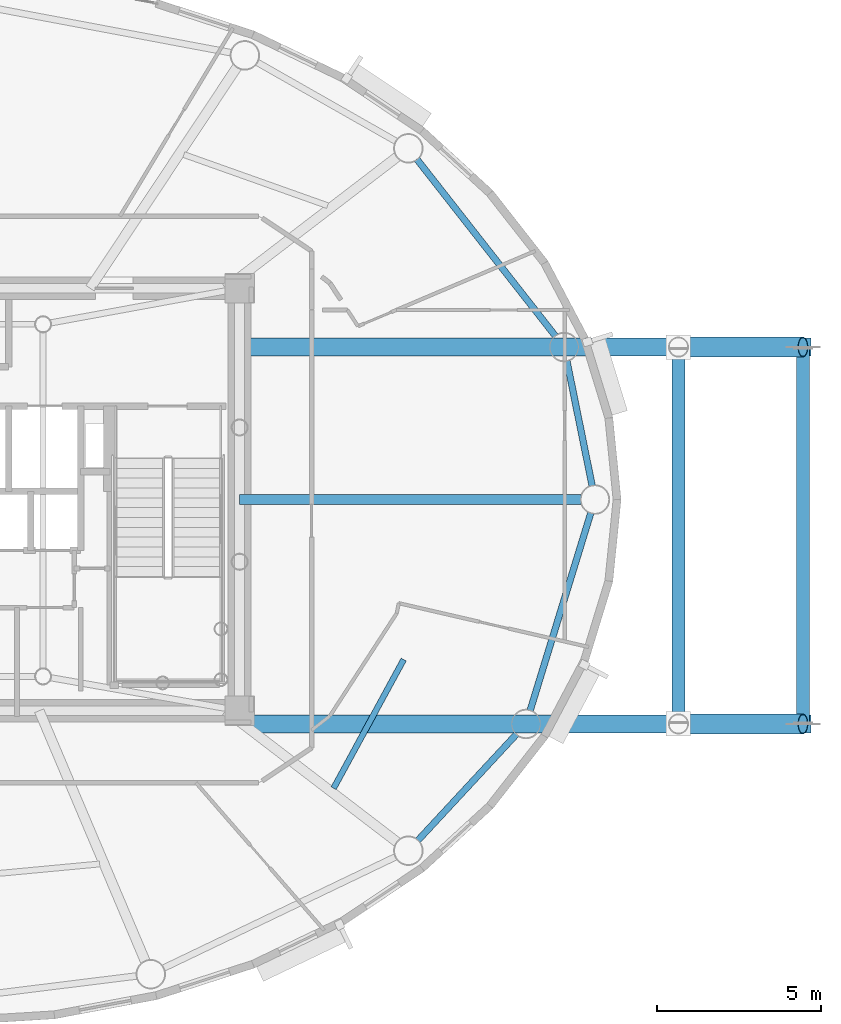
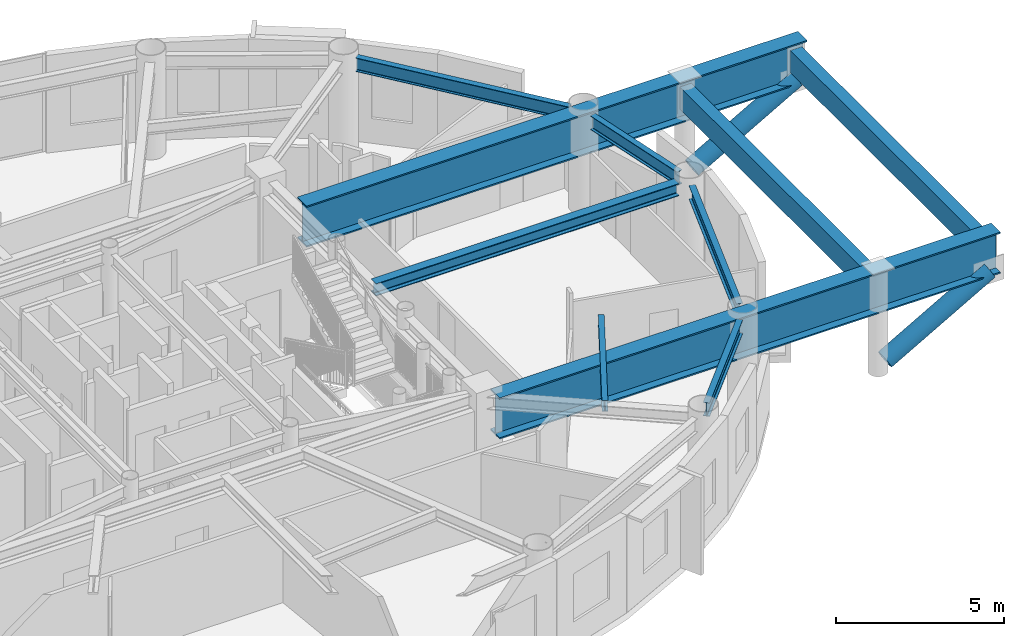
# One storey, part 4 of 19: 10 beams, 2 members.
"""IFC4 building model written with IfcOpenShell, lengths in metres."""

from ifc_helpers import new_model, si_unit, direction, frame, origin, origin_2d, place, context, subcontext, project, spatial, hollow_rectangle, hollow_circle, i_section, extrude, material, material_profile, profile_set, type_object, element, save


model = new_model("IFC4")

# Units and contexts
model_context = context("Model", 3, precision=1e-05, world=origin(), true_north=direction((0.0, 1.0)))
body_context = subcontext(model_context, "Body", "Model", "MODEL_VIEW")
ifc_project = project(units=[si_unit("LENGTHUNIT", "METRE"), si_unit("AREAUNIT", "SQUARE_METRE"), si_unit("VOLUMEUNIT", "CUBIC_METRE"), si_unit("PLANEANGLEUNIT", "RADIAN"), si_unit("MASSUNIT", "GRAM", prefix="KILO")], contexts=[model_context])

# Site, building, storey
site_placement = place(None, origin())
site = spatial("IfcSite", under=ifc_project, at=site_placement, CompositionType="ELEMENT")
building_placement = place(site_placement, origin())
building = spatial("IfcBuilding", under=site, at=building_placement, Name="Linh Dai School and Residence Tower", CompositionType="ELEMENT")
storey_placement = place(building_placement, frame((0.0, 0.0, 339.199951171875)))
storey = spatial("IfcBuildingStorey", under=building, at=storey_placement, Name="L84", CompositionType="ELEMENT", Elevation=339.199951171875)

# Beams
ifc_material = material(Name="Structural Steel S355JR", Category="steel")
ifc_material_profile_1 = material_profile(ifc_material, hollow_rectangle(XDim=0.39990234375, YDim=0.800048828125, WallThickness=0.02490234375, at=origin_2d()), Name="RHS 800x400x25")
ifc_profile_set_1 = profile_set([ifc_material_profile_1], Name="Structural Steel S355JR")
beam_type_1 = type_object("IfcBeamType", Name="BM-BX8", PredefinedType="BEAM", material=ifc_profile_set_1)
for number, where, z_axis, x_axis, name in (
    (1, (58.25, 20.1875, 2.800048828125), (0.0, 1.0, 0.0), (-1.0, 0.0, 0.0), "L84 Sky-Lounge Transverse Edge Girder S1"),
    (2, (62.050048828125, 20.1875, 2.800048828125), (0.0, 1.0, 0.0), (-1.0, 0.0, 0.0), "L84 Sky-Lounge Transverse Edge Girder MID"),
):
    element("IfcBeam", number, at=place(storey_placement, frame(where, z_axis=z_axis, x_axis=x_axis)), inside=storey, type_object=beam_type_1, Name=name, PredefinedType="BEAM", context=body_context, shape_type="SweptSolid", body=[
        extrude(hollow_rectangle(XDim=0.39990234375, YDim=0.800048828125, WallThickness=0.02490234375, at=origin_2d()), origin(), (0.0, 0.0, 1.0), 11.42724609375),
    ])
ifc_material_profile_2 = material_profile(ifc_material, i_section(OverallWidth=0.199951171875, OverallDepth=0.5, WebThickness=0.01025390625, FlangeThickness=0.01611328125, FilletRadius=0.02099609375, at=origin_2d()), Name="IPE 500")
ifc_profile_set_2 = profile_set([ifc_material_profile_2], Name="Structural Steel S355JR")
beam_type_2 = type_object("IfcBeamType", Name="BM-RB50", PredefinedType="BEAM", material=ifc_profile_set_2)
beam_1_placement = place(storey_placement, frame((55.61669921875, 27.41162109375, 3.300048828125), z_axis=(-0.198409502721, 0.980119211744, 0.0), x_axis=(-0.980119211744, -0.198409502721, 0.0)))
element("IfcBeam", 3, at=beam_1_placement, inside=storey, type_object=beam_type_2, Name="L84 Perimeter Elliptical Ring Beam 01", PredefinedType="BEAM", context=body_context, shape_type="SweptSolid", body=[
    extrude(i_section(OverallWidth=0.199951171875, OverallDepth=0.5, WebThickness=0.01025390625, FlangeThickness=0.01611328125, FilletRadius=0.02099609375, at=origin_2d()), origin(), (0.0, 0.0, 1.0), 3.9091796875),
])
beam_2_placement = place(storey_placement, frame((54.498779296875, 31.9853515625, 3.300048828125), z_axis=(-0.616844770958, 0.787084829318, 0.0), x_axis=(-0.787084829318, -0.616844770958, 0.0)))
element("IfcBeam", 4, at=beam_2_placement, inside=storey, type_object=beam_type_2, Name="L84 Perimeter Elliptical Ring Beam 02", PredefinedType="BEAM", context=body_context, shape_type="SweptSolid", body=[
    extrude(i_section(OverallWidth=0.199951171875, OverallDepth=0.5, WebThickness=0.01025390625, FlangeThickness=0.01611328125, FilletRadius=0.02099609375, at=origin_2d()), origin(), (0.0, 0.0, 1.0), 6.869384765625),
])
beam_3_placement = place(storey_placement, frame((50.2880859375, 16.5849609375, 3.300048828125), z_axis=(0.680339330162, 0.732897261446, 0.0), x_axis=(-0.732897261446, 0.680339330162, 0.0)))
element("IfcBeam", 5, at=beam_3_placement, inside=storey, type_object=beam_type_2, Name="L84 Perimeter Elliptical Ring Beam 15", PredefinedType="BEAM", context=body_context, shape_type="SweptSolid", body=[
    extrude(i_section(OverallWidth=0.199951171875, OverallDepth=0.5, WebThickness=0.01025390625, FlangeThickness=0.01611328125, FilletRadius=0.02099609375, at=origin_2d()), origin(), (0.0, 0.0, 1.0), 4.440673828125),
])
beam_4_placement = place(storey_placement, frame((53.718505859375, 20.548828125, 3.300048828125), z_axis=(0.293606003102, 0.955926521728, 0.0), x_axis=(-0.955926521728, 0.293606003102, 0.0)))
element("IfcBeam", 6, at=beam_4_placement, inside=storey, type_object=beam_type_2, Name="L84 Perimeter Elliptical Ring Beam 16", PredefinedType="BEAM", context=body_context, shape_type="SweptSolid", body=[
    extrude(i_section(OverallWidth=0.199951171875, OverallDepth=0.5, WebThickness=0.01025390625, FlangeThickness=0.01611328125, FilletRadius=0.02099609375, at=origin_2d()), origin(), (0.0, 0.0, 1.0), 6.32861328125),
])
ifc_material_profile_3 = material_profile(ifc_material, i_section(OverallWidth=0.300048828125, OverallDepth=0.449951171875, WebThickness=0.013916015625, FlangeThickness=0.02587890625, FilletRadius=0.027099609375, at=origin_2d()), Name="HEB 450")
ifc_profile_set_3 = profile_set([ifc_material_profile_3], Name="Structural Steel S355JR")
beam_type_3 = type_object("IfcBeamType", Name="BM-RG45", PredefinedType="BEAM", material=ifc_profile_set_3)
beam_5_placement = place(storey_placement, frame((44.85009765625, 27.0, 3.324951171875), z_axis=(1.0, 0.0, 0.0), x_axis=(0.0, 1.0, 0.0)))
element("IfcBeam", 7, at=beam_5_placement, inside=storey, type_object=beam_type_3, Name="L84 Primary Radial Floor Girder 01", PredefinedType="BEAM", context=body_context, shape_type="SweptSolid", body=[
    extrude(i_section(OverallWidth=0.300048828125, OverallDepth=0.449951171875, WebThickness=0.013916015625, FlangeThickness=0.02587890625, FilletRadius=0.027099609375, at=origin_2d()), origin(), (0.0, 0.0, 1.0), 10.429931640625),
])
ifc_material_profile_4 = material_profile(ifc_material, i_section(OverallWidth=0.179931640625, OverallDepth=0.39990234375, WebThickness=0.008544921875, FlangeThickness=0.013427734375, FilletRadius=0.02099609375, at=origin_2d()), Name="IPE 400")
ifc_profile_set_4 = profile_set([ifc_material_profile_4], Name="Structural Steel S355JR")
beam_type_4 = type_object("IfcBeamType", Name="BM-SB40", PredefinedType="BEAM", material=ifc_profile_set_4)
beam_6_placement = place(storey_placement, frame((47.72119140625, 18.18603515625, 3.35009765625), z_axis=(0.478255296325, 0.878220855786, 0.0), x_axis=(-0.878220855786, 0.478255296325, 0.0)))
element("IfcBeam", 8, at=beam_6_placement, inside=storey, type_object=beam_type_4, Name="L84 Secondary Circumferential Floor Beam 08", PredefinedType="BEAM", context=body_context, shape_type="SweptSolid", body=[
    extrude(i_section(OverallWidth=0.179931640625, OverallDepth=0.39990234375, WebThickness=0.008544921875, FlangeThickness=0.013427734375, FilletRadius=0.02099609375, at=origin_2d()), origin(), (0.0, 0.0, 1.0), 4.471923828125),
])
ifc_material_profile_5 = material_profile(ifc_material, i_section(OverallWidth=0.550048828125, OverallDepth=1.5, WebThickness=0.028076171875, FlangeThickness=0.050048828125, at=origin_2d()), Name="PG 1500x550x28x50")
ifc_profile_set_5 = profile_set([ifc_material_profile_5], Name="Structural Steel S355JR")
beam_type_5 = type_object("IfcBeamType", Name="BM-TG15", PredefinedType="BEAM", material=ifc_profile_set_5)
for number, where, z_axis, x_axis, name in (
    (9, (45.073974609375, 20.1474609375, 2.800048828125), (1.0, 0.0, 0.0), (0.0, 1.0, 0.0), "L84 Sky-Lounge Stage-2 Continuous Transfer Girder S"),
    (10, (45.073974609375, 31.65478515625, 2.800048828125), (1.0, 0.0, 0.0), (0.0, 1.0, 0.0), "L84 Sky-Lounge Stage-2 Continuous Transfer Girder N"),
):
    element("IfcBeam", number, at=place(storey_placement, frame(where, z_axis=z_axis, x_axis=x_axis)), inside=storey, type_object=beam_type_5, Name=name, PredefinedType="BEAM", context=body_context, shape_type="SweptSolid", body=[
        extrude(i_section(OverallWidth=0.550048828125, OverallDepth=1.5, WebThickness=0.028076171875, FlangeThickness=0.050048828125, at=origin_2d()), origin(), (0.0, 0.0, 1.0), 17.22607421875),
    ])

# Members
ifc_material_profile_6 = material_profile(ifc_material, hollow_circle(Radius=0.304931640625, WallThickness=0.02490234375, at=origin_2d()), Name="CHS 610x25")
ifc_profile_set_6 = profile_set([ifc_material_profile_6], Name="Structural Steel S355JR")
member_type = type_object("IfcMemberType", Name="MBR-SKR1", PredefinedType="BRACE", material=ifc_profile_set_6)
for number, where, z_axis, x_axis, name in (
    (11, (58.489013671875, 20.1474609375, 0.0859375), (0.869366941017, 0.0, 0.494167099134), (0.0, 1.0, 0.0), "L84 Sky-Lounge Upper Propped Raking Strut S"),
    (12, (58.489013671875, 31.65478515625, 0.0859375), (0.869366941017, 0.0, 0.494167099134), (0.0, 1.0, 0.0), "L84 Sky-Lounge Upper Propped Raking Strut N"),
):
    element("IfcMember", number, at=place(storey_placement, frame(where, z_axis=z_axis, x_axis=x_axis)), inside=storey, type_object=member_type, Name=name, PredefinedType="BRACE", context=body_context, shape_type="SweptSolid", body=[
        extrude(hollow_circle(Radius=0.304931640625, WallThickness=0.02490234375, at=origin_2d()), origin(), (0.0, 0.0, 1.0), 4.09619140625),
    ])

save(model, "model.ifc")
